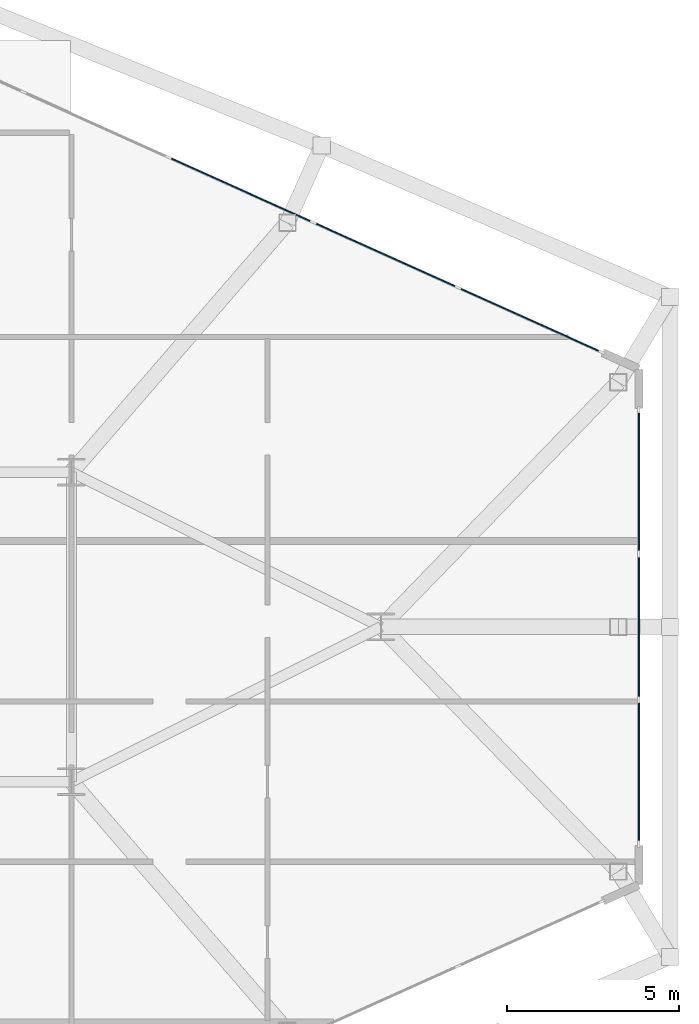
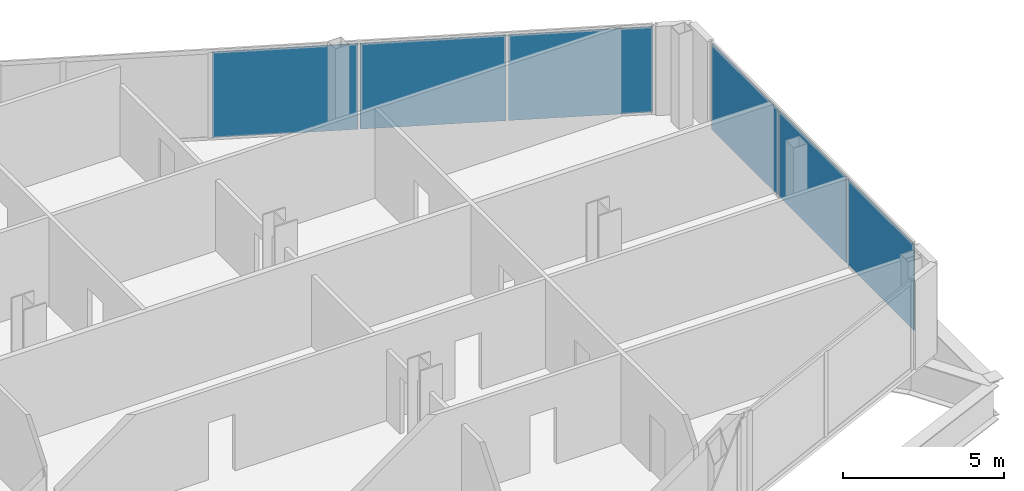
# One storey, part 19 of 29: 6 plates, 2 elements without a shape of their own.
"""IFC4 building model written with IfcOpenShell, lengths in metres."""

from ifc_helpers import new_model, si_unit, direction, frame, origin, origin_2d, place, context, subcontext, project, spatial, rectangle, extrude, source, transform, mapped, material, layer, layer_set, type_object, type_shapes, element, aggregate, save


model = new_model("IFC4")

# Units and contexts
model_context = context("Model", 3, precision=1e-05, world=origin(), true_north=direction((0.0, 1.0)))
body_context = subcontext(model_context, "Body", "Model", "MODEL_VIEW")
ifc_project = project(units=[si_unit("LENGTHUNIT", "METRE"), si_unit("AREAUNIT", "SQUARE_METRE"), si_unit("VOLUMEUNIT", "CUBIC_METRE"), si_unit("PLANEANGLEUNIT", "RADIAN"), si_unit("MASSUNIT", "GRAM", prefix="KILO")], contexts=[model_context])

# Site, building, storey
site_placement = place(None, origin())
site = spatial("IfcSite", under=ifc_project, at=site_placement, CompositionType="ELEMENT")
building_placement = place(site_placement, origin())
building = spatial("IfcBuilding", under=site, at=building_placement, Name="Seokmaru Belvedere", CompositionType="ELEMENT")
storey_placement = place(building_placement, frame((0.0, 0.0, 62.10009765625)))
storey = spatial("IfcBuildingStorey", under=building, at=storey_placement, Name="L16", CompositionType="ELEMENT", Elevation=62.10009765625)

# Curtain wall, plates
ifc_material = material(Name="Bronze Triple Insulating Glass", Category="glass")
ifc_layer_1 = layer(ifc_material, 0.195068359375)
ifc_layer_set_1 = layer_set([ifc_layer_1], Name="Bronze Triple Insulating Glass")
curtain_wall_type = type_object("IfcCurtainWallType", Name="Lower-Mid Tapered Curtain Wall System CW-3", PredefinedType="NOTDEFINED", material=ifc_layer_set_1)
curtain_wall_1_placement = place(storey_placement, origin())
curtain_wall_1 = element("IfcCurtainWall", 1, at=curtain_wall_1_placement, inside=storey, type_object=curtain_wall_type, Name="L16 Curtain Wall EF3", PredefinedType="NOTDEFINED")
ifc_layer_2 = layer(ifc_material, 0.035888671875)
ifc_layer_set_2 = layer_set([ifc_layer_2], Name="Bronze Triple Insulating Glass")
plate_type = type_object("IfcPlateType", Name="Bronze Triple Vision Glazing Panel 36", PredefinedType="CURTAIN_PANEL", material=ifc_layer_set_2)
shared_shape_1 = source(origin(), body_context, "Body", "SweptSolid", [
    extrude(rectangle(XDim=4.51318359375, YDim=0.035888671875, at=origin_2d()), origin(), (0.0, 0.0, 1.0), 3.239990234375),
])
plate_1_placement = place(storey_placement, frame((67.82958984375, 8.926513671875, 0.06982421875), z_axis=(0.0, 0.0, 1.0), x_axis=(-0.91192111353, 0.41036554765, 0.0)))
plate_1 = element("IfcPlate", 2, at=plate_1_placement, type_object=plate_type, Name="CW:L16:EF3 Glazing Panel 1-1", PredefinedType="CURTAIN_PANEL", context=body_context, shape_type="MappedRepresentation", body=[
    mapped(shared_shape_1, transform((0.0, 0.0, 0.0), scale=1.0)),
])
shared_shape_2 = source(origin(), body_context, "Body", "SweptSolid", [
    extrude(rectangle(XDim=4.548095703125, YDim=0.035888671875, at=origin_2d()), origin(), (0.0, 0.0, 1.0), 3.239990234375),
])
plate_2_placement = place(storey_placement, frame((63.63427734375, 10.814697265625, 0.06982421875), z_axis=(0.0, 0.0, 1.0), x_axis=(-0.91192111353, 0.41036554765, 0.0)))
plate_2 = element("IfcPlate", 3, at=plate_2_placement, type_object=plate_type, Name="CW:L16:EF3 Glazing Panel 2-1", PredefinedType="CURTAIN_PANEL", context=body_context, shape_type="MappedRepresentation", body=[
    mapped(shared_shape_2, transform((0.0, 0.0, 0.0), scale=1.0)),
])
plate_3_placement = place(storey_placement, frame((59.4228515625, 12.709716796875, 0.06982421875), z_axis=(0.0, 0.0, 1.0), x_axis=(-0.91192111353, 0.41036554765, 0.0)))
plate_3 = element("IfcPlate", 4, at=plate_3_placement, type_object=plate_type, Name="CW:L16:EF3 Glazing Panel 3-1", PredefinedType="CURTAIN_PANEL", context=body_context, shape_type="MappedRepresentation", body=[
    mapped(shared_shape_2, transform((0.0, 0.0, 0.0), scale=1.0)),
])
aggregate(curtain_wall_1, [plate_1, plate_2, plate_3])

curtain_wall_2_placement = place(storey_placement, origin())
curtain_wall_2 = element("IfcCurtainWall", 5, at=curtain_wall_2_placement, inside=storey, type_object=curtain_wall_type, Name="L16 Curtain Wall EF2", PredefinedType="NOTDEFINED")
shared_shape_3 = source(origin(), body_context, "Body", "SweptSolid", [
    extrude(rectangle(XDim=4.12841796875, YDim=0.035888671875, at=origin_2d()), origin(), (0.0, 0.0, 1.0), 3.239990234375),
])
plate_4_placement = place(storey_placement, frame((71.0, -4.2158203125, 0.06982421875), z_axis=(0.0, 0.0, 1.0), x_axis=(0.0, 1.0, 0.0)))
plate_4 = element("IfcPlate", 6, at=plate_4_placement, type_object=plate_type, Name="CW:L16:EF2 Glazing Panel 1-1", PredefinedType="CURTAIN_PANEL", context=body_context, shape_type="MappedRepresentation", body=[
    mapped(shared_shape_3, transform((0.0, 0.0, 0.0), scale=1.0)),
])
plate_5_placement = place(storey_placement, frame((71.0, 4.2158203125, 0.06982421875), z_axis=(0.0, 0.0, 1.0), x_axis=(0.0, 1.0, 0.0)))
plate_5 = element("IfcPlate", 7, at=plate_5_placement, type_object=plate_type, Name="CW:L16:EF2 Glazing Panel 3-1", PredefinedType="CURTAIN_PANEL", context=body_context, shape_type="MappedRepresentation", body=[
    mapped(shared_shape_3, transform((0.0, 0.0, 0.0), scale=1.0)),
])
shared_shape_4 = source(origin(), body_context, "Body", "SweptSolid", [
    extrude(rectangle(XDim=4.163330078125, YDim=0.035888671875, at=origin_2d()), origin(), (0.0, 0.0, 1.0), 3.239990234375),
])
type_shapes(plate_type, [shared_shape_1, shared_shape_2, shared_shape_3, shared_shape_4])
plate_6_placement = place(storey_placement, frame((71.0, 0.0, 0.06982421875), z_axis=(0.0, 0.0, 1.0), x_axis=(0.0, 1.0, 0.0)))
plate_6 = element("IfcPlate", 8, at=plate_6_placement, type_object=plate_type, Name="CW:L16:EF2 Glazing Panel 2-1", PredefinedType="CURTAIN_PANEL", context=body_context, shape_type="MappedRepresentation", body=[
    mapped(shared_shape_4, transform((0.0, 0.0, 0.0), scale=1.0)),
])
aggregate(curtain_wall_2, [plate_4, plate_6, plate_5])

save(model, "model.ifc")
